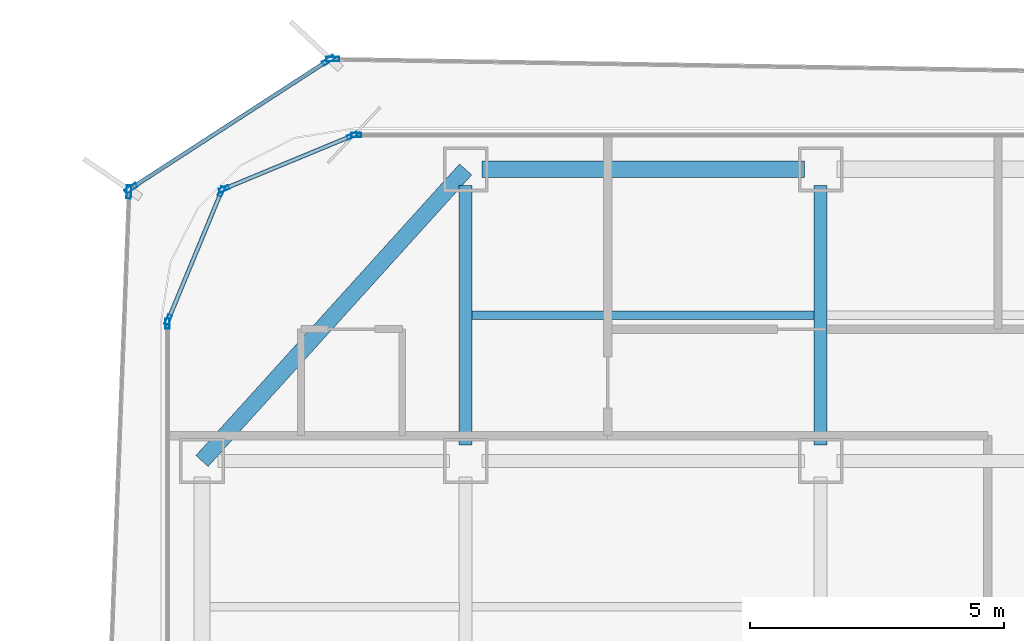
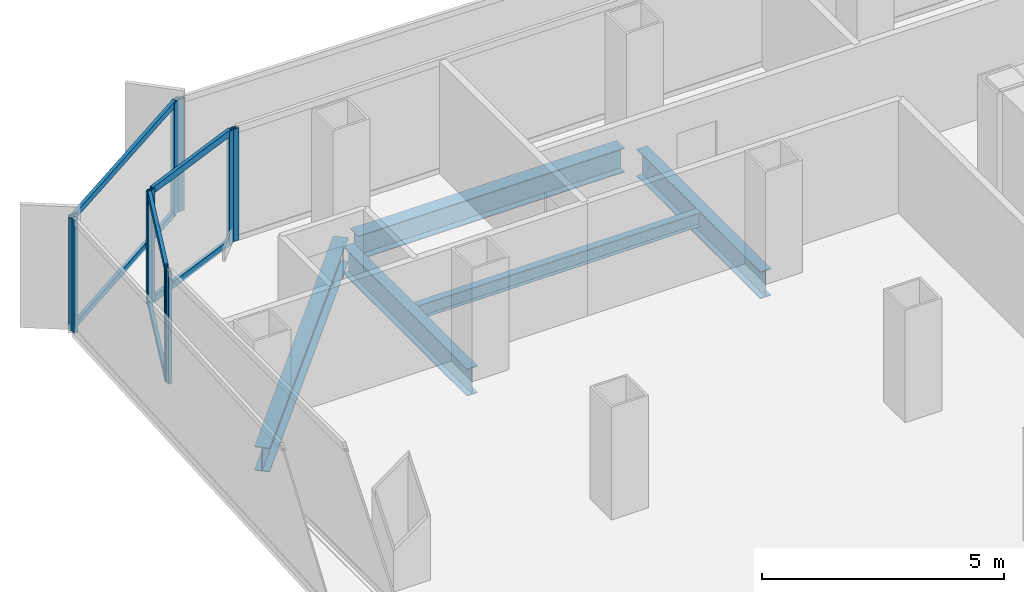
# One storey, part 10 of 21: 16 members, 5 beams, 7 elements without a shape of their own.
"""IFC4 building model written with IfcOpenShell, lengths in metres."""

from ifc_helpers import new_model, si_unit, direction, frame, origin, origin_2d, place, context, subcontext, project, spatial, hollow_rectangle, i_section, extrude, source, transform, mapped, material, layer, layer_set, material_profile, profile_set, type_object, element, aggregate, save


model = new_model("IFC4")

# Units and contexts
model_context = context("Model", 3, precision=1e-05, world=origin(), true_north=direction((0.0, 1.0)))
body_context = subcontext(model_context, "Body", "Model", "MODEL_VIEW")
ifc_project = project(units=[si_unit("LENGTHUNIT", "METRE"), si_unit("AREAUNIT", "SQUARE_METRE"), si_unit("VOLUMEUNIT", "CUBIC_METRE"), si_unit("PLANEANGLEUNIT", "RADIAN"), si_unit("MASSUNIT", "GRAM", prefix="KILO")], contexts=[model_context])

# Site, building, storey
site_placement = place(None, origin())
site = spatial("IfcSite", under=ifc_project, at=site_placement, CompositionType="ELEMENT")
building_placement = place(site_placement, origin())
building = spatial("IfcBuilding", under=site, at=building_placement, Name="Kolveth Station Tower", CompositionType="ELEMENT")
storey_placement = place(building_placement, frame((0.0, 0.0, 140.699951171875)))
storey = spatial("IfcBuildingStorey", under=building, at=storey_placement, Name="L39", CompositionType="ELEMENT", Elevation=140.699951171875)

# Beams
ifc_material_1 = material(Name="Steel S355", Category="steel")
ifc_material_profile_1 = material_profile(ifc_material_1, i_section(OverallWidth=0.323974609375, OverallDepth=0.611083984375, WebThickness=0.0126953125, FlangeThickness=0.01904296875, at=origin_2d()), Name="W610x155")
ifc_profile_set_1 = profile_set([ifc_material_profile_1], Name="Steel S355")
beam_type_1 = type_object("IfcBeamType", Name="Beam_SP2", PredefinedType="SPANDREL", material=ifc_profile_set_1)
shared_shape_1 = source(origin(), body_context, "Body", "SweptSolid", [
    extrude(i_section(OverallWidth=0.323974609375, OverallDepth=0.611083984375, WebThickness=0.0126953125, FlangeThickness=0.01904296875, at=origin_2d()), origin(), (0.0, 0.0, 1.0), 6.35986328125),
])
beam_1_placement = place(storey_placement, frame((6.320068359375, 34.5, -0.555419921875), z_axis=(1.0, 0.0, 0.0), x_axis=(0.0, 1.0, 0.0)))
element("IfcBeam", 1, at=beam_1_placement, inside=storey, type_object=beam_type_1, Name="L39 Perimeter Spandrel BM-L39-PN-1", PredefinedType="SPANDREL", context=body_context, shape_type="MappedRepresentation", body=[
    mapped(shared_shape_1, transform((0.0, 0.0, 0.0), x_axis=(1.0, 0.0, 0.0), y_axis=(0.0, 1.0, 0.0), z_axis=(0.0, 0.0, 1.0), scale=1.0)),
])
shared_shape_2 = source(origin(), body_context, "Body", "SweptSolid", [
    extrude(i_section(OverallWidth=0.323974609375, OverallDepth=0.611083984375, WebThickness=0.0126953125, FlangeThickness=0.01904296875, at=origin_2d()), origin(), (0.0, 0.0, 1.0), 7.75244140625),
])
beam_2_placement = place(storey_placement, frame((6.0, 34.5, -0.555419921875), z_axis=(-0.670740965555, -0.74169168603, 0.0), x_axis=(0.74169168603, -0.670740965555, 0.0)))
element("IfcBeam", 2, at=beam_2_placement, inside=storey, type_object=beam_type_1, Name="L39 Corner Edge Girder BM-L39-CNR-NW", PredefinedType="SPANDREL", context=body_context, shape_type="MappedRepresentation", body=[
    mapped(shared_shape_2, transform((0.0, 0.0, 0.0), x_axis=(1.0, 0.0, 0.0), y_axis=(0.0, 1.0, 0.0), z_axis=(0.0, 0.0, 1.0), scale=1.0)),
])
ifc_material_profile_2 = material_profile(ifc_material_1, i_section(OverallWidth=0.25390625, OverallDepth=0.68798828125, WebThickness=0.01318359375, FlangeThickness=0.02099609375, at=origin_2d()), Name="W690x152")
ifc_profile_set_2 = profile_set([ifc_material_profile_2], Name="Steel S355")
beam_type_2 = type_object("IfcBeamType", Name="Beam_B4", PredefinedType="BEAM", material=ifc_profile_set_2)
shared_shape_3 = source(origin(), body_context, "Body", "SweptSolid", [
    extrude(i_section(OverallWidth=0.25390625, OverallDepth=0.68798828125, WebThickness=0.01318359375, FlangeThickness=0.02099609375, at=origin_2d()), origin(), (0.0, 0.0, 1.0), 5.10986328125),
])
for number, where, z_axis, x_axis, name in (
    (3, (6.0, 29.070068359375, -0.593994140625), (0.0, 1.0, 0.0), (-1.0, 0.0, 0.0), "L39 Primary Girder BM-L39-GX60-6"),
    (4, (13.0, 29.070068359375, -0.593994140625), (0.0, 1.0, 0.0), (-1.0, 0.0, 0.0), "L39 Primary Girder BM-L39-GX130-6"),
):
    element("IfcBeam", number, at=place(storey_placement, frame(where, z_axis=z_axis, x_axis=x_axis)), inside=storey, type_object=beam_type_2, Name=name, PredefinedType="BEAM", context=body_context, shape_type="MappedRepresentation", body=[
        mapped(shared_shape_3, transform((0.0, 0.0, 0.0), x_axis=(1.0, 0.0, 0.0), y_axis=(0.0, 1.0, 0.0), z_axis=(0.0, 0.0, 1.0), scale=1.0)),
    ])
ifc_material_profile_3 = material_profile(ifc_material_1, i_section(OverallWidth=0.1708984375, OverallDepth=0.35205078125, WebThickness=0.0068359375, FlangeThickness=0.009765625, at=origin_2d()), Name="W360x44")
ifc_profile_set_3 = profile_set([ifc_material_profile_3], Name="Steel S355")
beam_type_3 = type_object("IfcBeamType", Name="Beam_J2", PredefinedType="JOIST", material=ifc_profile_set_3)
shared_shape_4 = source(origin(), body_context, "Body", "SweptSolid", [
    extrude(i_section(OverallWidth=0.1708984375, OverallDepth=0.35205078125, WebThickness=0.0068359375, FlangeThickness=0.009765625, at=origin_2d()), origin(), (0.0, 0.0, 1.0), 6.75),
])
beam_3_placement = place(storey_placement, frame((6.125, 31.625, -0.426025390625), z_axis=(1.0, 0.0, 0.0), x_axis=(0.0, 1.0, 0.0)))
element("IfcBeam", 5, at=beam_3_placement, inside=storey, type_object=beam_type_3, Name="L39 Secondary Joist JST-L39-2-6", PredefinedType="JOIST", context=body_context, shape_type="MappedRepresentation", body=[
    mapped(shared_shape_4, transform((0.0, 0.0, 0.0), x_axis=(1.0, 0.0, 0.0), y_axis=(0.0, 1.0, 0.0), z_axis=(0.0, 0.0, 1.0), scale=1.0)),
])

# Curtain wall, members
ifc_material_2 = material(Name="Aluminium 6063-T6 and low-E dark glass", Category="aluminium")
ifc_layer_1 = layer(ifc_material_2, 0.18994140625)
ifc_layer_set_1 = layer_set([ifc_layer_1], Name="Aluminium 6063-T6 and low-E dark glass")
curtain_wall_type_1 = type_object("IfcCurtainWallType", Name="CurtainWall_CW-Z2", PredefinedType="NOTDEFINED", material=ifc_layer_set_1)
curtain_wall_1_placement = place(storey_placement, origin())
curtain_wall_1 = element("IfcCurtainWall", 6, at=curtain_wall_1_placement, inside=storey, type_object=curtain_wall_type_1, Name="L39 Inner Thermal Curtain Wall 7", PredefinedType="NOTDEFINED")
ifc_material_3 = material(Name="Black anodized aluminium 6063-T6", Category="aluminium")
ifc_material_profile_4 = material_profile(ifc_material_3, hollow_rectangle(XDim=0.080078125, YDim=0.169921875, WallThickness=0.0048828125, at=origin_2d()), Name="ALU-80x170x5")
ifc_profile_set_4 = profile_set([ifc_material_profile_4], Name="Black anodized aluminium 6063-T6")
member_type_1 = type_object("IfcMemberType", Name="Transom_TR2", PredefinedType="USERDEFINED", material=ifc_profile_set_4)
shared_shape_5 = source(origin(), body_context, "Body", "SweptSolid", [
    extrude(hollow_rectangle(XDim=0.080078125, YDim=0.169921875, WallThickness=0.0048828125, at=origin_2d()), origin(), (0.0, 0.0, 1.0), 2.656494140625),
])
member_1_placement = place(storey_placement, frame((3.72607421875, 35.1494140625, 0.0400390625), z_axis=(-0.923882422403, -0.382676455475, 0.0), x_axis=(0.382676455475, -0.923882422403, 0.0)))
member_1 = element("IfcMember", 7, at=member_1_placement, type_object=member_type_1, Name="CW-Z2 transom 1.1", ObjectType="TRANSOM", PredefinedType="USERDEFINED", context=body_context, shape_type="MappedRepresentation", body=[
    mapped(shared_shape_5, transform((0.0, 0.0, 0.0), x_axis=(1.0, 0.0, 0.0), y_axis=(0.0, 1.0, 0.0), z_axis=(0.0, 0.0, 1.0), scale=1.0)),
])
member_2_placement = place(storey_placement, frame((3.72607421875, 35.1494140625, 2.800048828125), z_axis=(-0.923882422403, -0.382676455475, 0.0), x_axis=(0.382676455475, -0.923882422403, 0.0)))
member_2 = element("IfcMember", 8, at=member_2_placement, type_object=member_type_1, Name="CW-Z2 transom 1.2", ObjectType="TRANSOM", PredefinedType="USERDEFINED", context=body_context, shape_type="MappedRepresentation", body=[
    mapped(shared_shape_5, transform((0.0, 0.0, 0.0), x_axis=(1.0, 0.0, 0.0), y_axis=(0.0, 1.0, 0.0), z_axis=(0.0, 0.0, 1.0), scale=1.0)),
])

curtain_wall_2_placement = place(storey_placement, origin())
curtain_wall_2 = element("IfcCurtainWall", 9, at=curtain_wall_2_placement, inside=storey, type_object=curtain_wall_type_1, Name="L39 Inner Thermal Curtain Wall 8", PredefinedType="NOTDEFINED")
member_3_placement = place(storey_placement, frame((1.167236328125, 34.0283203125, 0.0400390625), z_axis=(-0.382676455475, -0.923882422403, 0.0), x_axis=(0.923882422403, -0.382676455475, 0.0)))
member_3 = element("IfcMember", 10, at=member_3_placement, type_object=member_type_1, Name="CW-Z2 transom 1.1", ObjectType="TRANSOM", PredefinedType="USERDEFINED", context=body_context, shape_type="MappedRepresentation", body=[
    mapped(shared_shape_5, transform((0.0, 0.0, 0.0), x_axis=(1.0, 0.0, 0.0), y_axis=(0.0, 1.0, 0.0), z_axis=(0.0, 0.0, 1.0), scale=1.0)),
])
member_4_placement = place(storey_placement, frame((1.167236328125, 34.0283203125, 2.800048828125), z_axis=(-0.382676455475, -0.923882422403, 0.0), x_axis=(0.923882422403, -0.382676455475, 0.0)))
member_4 = element("IfcMember", 11, at=member_4_placement, type_object=member_type_1, Name="CW-Z2 transom 1.2", ObjectType="TRANSOM", PredefinedType="USERDEFINED", context=body_context, shape_type="MappedRepresentation", body=[
    mapped(shared_shape_5, transform((0.0, 0.0, 0.0), x_axis=(1.0, 0.0, 0.0), y_axis=(0.0, 1.0, 0.0), z_axis=(0.0, 0.0, 1.0), scale=1.0)),
])

# Curtain wall, member
curtain_wall_3_placement = place(storey_placement, origin())
curtain_wall_3 = element("IfcCurtainWall", 12, at=curtain_wall_3_placement, inside=storey, type_object=curtain_wall_type_1, Name="L39 Inner Thermal Curtain Wall 6", PredefinedType="NOTDEFINED")
ifc_material_profile_5 = material_profile(ifc_material_3, hollow_rectangle(XDim=0.080078125, YDim=0.199951171875, WallThickness=0.0048828125, at=origin_2d()), Name="ALU-80x200x5")
ifc_profile_set_5 = profile_set([ifc_material_profile_5], Name="Black anodized aluminium 6063-T6")
member_type_2 = type_object("IfcMemberType", Name="Mullion_ML2", PredefinedType="MULLION", material=ifc_profile_set_5)
shared_shape_6 = source(origin(), body_context, "Body", "SweptSolid", [
    extrude(hollow_rectangle(XDim=0.080078125, YDim=0.199951171875, WallThickness=0.0048828125, at=origin_2d()), origin(), (0.0, 0.0, 1.0), 2.840087890625),
])
member_5_placement = place(storey_placement, frame((3.840087890625, 35.179931640625, 0.0), z_axis=(0.0, 0.0, 1.0), x_axis=(0.0, -1.0, 0.0)))
member_5 = element("IfcMember", 13, at=member_5_placement, type_object=member_type_2, Name="CW-Z2 mullion 3", PredefinedType="MULLION", context=body_context, shape_type="MappedRepresentation", body=[
    mapped(shared_shape_6, transform((0.0, 0.0, 0.0), x_axis=(1.0, 0.0, 0.0), y_axis=(0.0, 1.0, 0.0), z_axis=(0.0, 0.0, 1.0), scale=1.0)),
])
aggregate(curtain_wall_3, [member_5])

# Member
member_6_placement = place(storey_placement, frame((3.762939453125, 35.164794921875, 0.0), z_axis=(0.0, 0.0, 1.0), x_axis=(0.38266326998, -0.923887883787, 0.0)))
member_6 = element("IfcMember", 14, at=member_6_placement, type_object=member_type_2, Name="CW-Z2 mullion 1", PredefinedType="MULLION", context=body_context, shape_type="MappedRepresentation", body=[
    mapped(shared_shape_6, transform((0.0, 0.0, 0.0), x_axis=(1.0, 0.0, 0.0), y_axis=(0.0, 1.0, 0.0), z_axis=(0.0, 0.0, 1.0), scale=1.0)),
])

member_7_placement = place(storey_placement, frame((1.23486328125, 34.117431640625, 0.0), z_axis=(0.0, 0.0, 1.0), x_axis=(0.38266326998, -0.923887883787, 0.0)))
member_7 = element("IfcMember", 15, at=member_7_placement, type_object=member_type_2, Name="CW-Z2 mullion 2", PredefinedType="MULLION", context=body_context, shape_type="MappedRepresentation", body=[
    mapped(shared_shape_6, transform((0.0, 0.0, 0.0), x_axis=(1.0, 0.0, 0.0), y_axis=(0.0, 1.0, 0.0), z_axis=(0.0, 0.0, 1.0), scale=1.0)),
])

aggregate(curtain_wall_1, [member_6, member_7, member_1, member_2])

member_8_placement = place(storey_placement, frame((1.182373046875, 34.065185546875, 0.0), z_axis=(0.0, 0.0, 1.0), x_axis=(0.923887883787, -0.38266326998, 0.0)))
member_8 = element("IfcMember", 16, at=member_8_placement, type_object=member_type_2, Name="CW-Z2 mullion 1", PredefinedType="MULLION", context=body_context, shape_type="MappedRepresentation", body=[
    mapped(shared_shape_6, transform((0.0, 0.0, 0.0), x_axis=(1.0, 0.0, 0.0), y_axis=(0.0, 1.0, 0.0), z_axis=(0.0, 0.0, 1.0), scale=1.0)),
])

member_9_placement = place(storey_placement, frame((0.13525390625, 31.536865234375, 0.0), z_axis=(0.0, 0.0, 1.0), x_axis=(0.923887883787, -0.38266326998, 0.0)))
member_9 = element("IfcMember", 17, at=member_9_placement, type_object=member_type_2, Name="CW-Z2 mullion 2", PredefinedType="MULLION", context=body_context, shape_type="MappedRepresentation", body=[
    mapped(shared_shape_6, transform((0.0, 0.0, 0.0), x_axis=(1.0, 0.0, 0.0), y_axis=(0.0, 1.0, 0.0), z_axis=(0.0, 0.0, 1.0), scale=1.0)),
])

aggregate(curtain_wall_2, [member_8, member_9, member_3, member_4])

# Curtain wall, member
curtain_wall_4_placement = place(storey_placement, origin())
curtain_wall_4 = element("IfcCurtainWall", 18, at=curtain_wall_4_placement, inside=storey, type_object=curtain_wall_type_1, Name="L39 Inner Thermal Curtain Wall 9", PredefinedType="NOTDEFINED")
member_10_placement = place(storey_placement, frame((0.1201171875, 31.4599609375, 0.0), z_axis=(0.0, 0.0, 1.0), x_axis=(1.0, 0.0, 0.0)))
member_10 = element("IfcMember", 19, at=member_10_placement, type_object=member_type_2, Name="CW-Z2 mullion 1", PredefinedType="MULLION", context=body_context, shape_type="MappedRepresentation", body=[
    mapped(shared_shape_6, transform((0.0, 0.0, 0.0), x_axis=(1.0, 0.0, 0.0), y_axis=(0.0, 1.0, 0.0), z_axis=(0.0, 0.0, 1.0), scale=1.0)),
])
aggregate(curtain_wall_4, [member_10])

ifc_material_4 = material(Name="Black anodized aluminium 6063-T6 and dark solar glass", Category="aluminium")
ifc_layer_2 = layer(ifc_material_4, 0.159912109375)
ifc_layer_set_2 = layer_set([ifc_layer_2], Name="Black anodized aluminium 6063-T6 and dark solar glass")
curtain_wall_type_2 = type_object("IfcCurtainWallType", Name="OUTER SKIN CW-OS", PredefinedType="NOTDEFINED", material=ifc_layer_set_2)
curtain_wall_5_placement = place(storey_placement, origin())
curtain_wall_5 = element("IfcCurtainWall", 20, at=curtain_wall_5_placement, inside=storey, type_object=curtain_wall_type_2, Name="L39 Outer Ventilated Skin Curtain Wall 4", PredefinedType="NOTDEFINED")
ifc_material_profile_6 = material_profile(ifc_material_3, hollow_rectangle(XDim=0.090087890625, YDim=0.260009765625, WallThickness=0.0048828125, at=origin_2d()), Name="ALU-90x260x5")
ifc_profile_set_6 = profile_set([ifc_material_profile_6], Name="Black anodized aluminium 6063-T6")
member_type_3 = type_object("IfcMemberType", Name="FIN MULLION ML-OS", PredefinedType="MULLION", material=ifc_profile_set_6)
shared_shape_7 = source(origin(), body_context, "Body", "SweptSolid", [
    extrude(hollow_rectangle(XDim=0.090087890625, YDim=0.260009765625, WallThickness=0.0048828125, at=origin_2d()), origin(), (0.0, 0.0, 1.0), 2.840087890625),
])
member_11_placement = place(storey_placement, frame((3.376953125, 36.676513671875, 0.0), z_axis=(0.0, 0.0, 1.0), x_axis=(-0.016211778343, -0.999868580486, 0.0)))
member_11 = element("IfcMember", 21, at=member_11_placement, type_object=member_type_3, Name="CW-OS mullion 2", PredefinedType="MULLION", context=body_context, shape_type="MappedRepresentation", body=[
    mapped(shared_shape_7, transform((0.0, 0.0, 0.0), x_axis=(1.0, 0.0, 0.0), y_axis=(0.0, 1.0, 0.0), z_axis=(0.0, 0.0, 1.0), scale=1.0)),
])
aggregate(curtain_wall_5, [member_11])

# Curtain wall, members
curtain_wall_6_placement = place(storey_placement, origin())
curtain_wall_6 = element("IfcCurtainWall", 22, at=curtain_wall_6_placement, inside=storey, type_object=curtain_wall_type_2, Name="L39 Outer Ventilated Skin Curtain Wall 5", PredefinedType="NOTDEFINED")
member_12_placement = place(storey_placement, frame((3.294189453125, 36.65283203125, 0.0), z_axis=(0.0, 0.0, 1.0), x_axis=(0.544066518295, -0.839042086948, 0.0)))
member_12 = element("IfcMember", 23, at=member_12_placement, type_object=member_type_3, Name="CW-OS mullion 1", PredefinedType="MULLION", context=body_context, shape_type="MappedRepresentation", body=[
    mapped(shared_shape_7, transform((0.0, 0.0, 0.0), x_axis=(1.0, 0.0, 0.0), y_axis=(0.0, 1.0, 0.0), z_axis=(0.0, 0.0, 1.0), scale=1.0)),
])
member_13_placement = place(storey_placement, frame((-0.60205078125, 34.12646484375, 0.0), z_axis=(0.0, 0.0, 1.0), x_axis=(0.544066518295, -0.839042086948, 0.0)))
member_13 = element("IfcMember", 24, at=member_13_placement, type_object=member_type_3, Name="CW-OS mullion 2", PredefinedType="MULLION", context=body_context, shape_type="MappedRepresentation", body=[
    mapped(shared_shape_7, transform((0.0, 0.0, 0.0), x_axis=(1.0, 0.0, 0.0), y_axis=(0.0, 1.0, 0.0), z_axis=(0.0, 0.0, 1.0), scale=1.0)),
])

# Curtain wall, member
curtain_wall_7_placement = place(storey_placement, origin())
curtain_wall_7 = element("IfcCurtainWall", 25, at=curtain_wall_7_placement, inside=storey, type_object=curtain_wall_type_2, Name="L39 Outer Ventilated Skin Curtain Wall 6", PredefinedType="NOTDEFINED")
member_14_placement = place(storey_placement, frame((-0.641357421875, 34.056884765625, 0.0), z_axis=(0.0, 0.0, 1.0), x_axis=(0.999248544068, -0.038760123555, 0.0)))
member_14 = element("IfcMember", 26, at=member_14_placement, type_object=member_type_3, Name="CW-OS mullion 1", PredefinedType="MULLION", context=body_context, shape_type="MappedRepresentation", body=[
    mapped(shared_shape_7, transform((0.0, 0.0, 0.0), x_axis=(1.0, 0.0, 0.0), y_axis=(0.0, 1.0, 0.0), z_axis=(0.0, 0.0, 1.0), scale=1.0)),
])
aggregate(curtain_wall_7, [member_14])

# Member
ifc_material_profile_7 = material_profile(ifc_material_3, hollow_rectangle(XDim=0.080078125, YDim=0.14990234375, WallThickness=0.0048828125, at=origin_2d()), Name="ALU-80x150x5")
ifc_profile_set_7 = profile_set([ifc_material_profile_7], Name="Black anodized aluminium 6063-T6")
member_type_4 = type_object("IfcMemberType", Name="Transom_TR-OS", PredefinedType="USERDEFINED", material=ifc_profile_set_7)
shared_shape_8 = source(origin(), body_context, "Body", "SweptSolid", [
    extrude(hollow_rectangle(XDim=0.080078125, YDim=0.14990234375, WallThickness=0.0048828125, at=origin_2d()), origin(), (0.0, 0.0, 1.0), 4.5537109375),
])
member_15_placement = place(storey_placement, frame((3.256591796875, 36.62841796875, 0.0400390625), z_axis=(-0.839043309507, -0.544064632899, 0.0), x_axis=(0.544064632899, -0.839043309507, 0.0)))
member_15 = element("IfcMember", 27, at=member_15_placement, type_object=member_type_4, Name="CW-OS transom 1.1", ObjectType="TRANSOM", PredefinedType="USERDEFINED", context=body_context, shape_type="MappedRepresentation", body=[
    mapped(shared_shape_8, transform((0.0, 0.0, 0.0), x_axis=(1.0, 0.0, 0.0), y_axis=(0.0, 1.0, 0.0), z_axis=(0.0, 0.0, 1.0), scale=1.0)),
])

member_16_placement = place(storey_placement, frame((3.256591796875, 36.62841796875, 2.800048828125), z_axis=(-0.839043309507, -0.544064632899, 0.0), x_axis=(0.544064632899, -0.839043309507, 0.0)))
member_16 = element("IfcMember", 28, at=member_16_placement, type_object=member_type_4, Name="CW-OS transom 1.2", ObjectType="TRANSOM", PredefinedType="USERDEFINED", context=body_context, shape_type="MappedRepresentation", body=[
    mapped(shared_shape_8, transform((0.0, 0.0, 0.0), x_axis=(1.0, 0.0, 0.0), y_axis=(0.0, 1.0, 0.0), z_axis=(0.0, 0.0, 1.0), scale=1.0)),
])

aggregate(curtain_wall_6, [member_12, member_13, member_15, member_16])

save(model, "model.ifc")
